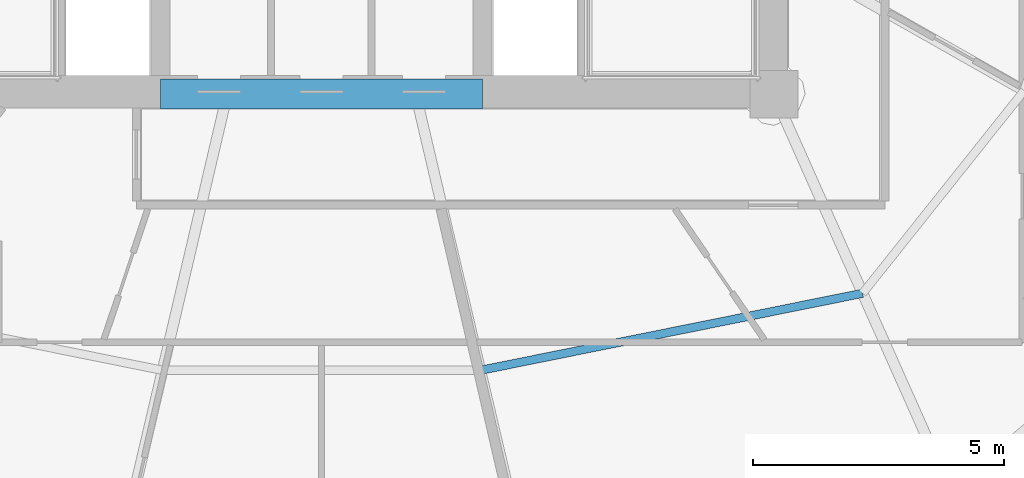
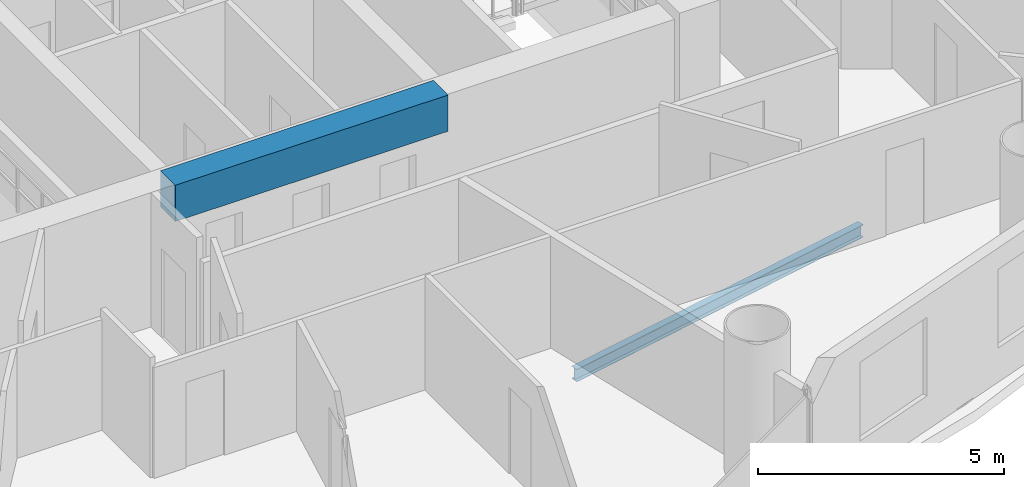
# One storey, part 6 of 26: 2 beams.
"""IFC4 building model written with IfcOpenShell, lengths in metres."""

from ifc_helpers import new_model, si_unit, direction, frame, origin, origin_2d, place, context, subcontext, project, spatial, rectangle, i_section, extrude, material, material_profile, profile_set, type_object, element, save


model = new_model("IFC4")

# Units and contexts
model_context = context("Model", 3, precision=1e-05, world=origin(), true_north=direction((-0.2419218956, 0.970295726276)))
body_context = subcontext(model_context, "Body", "Model", "MODEL_VIEW")
ifc_project = project(units=[si_unit("LENGTHUNIT", "METRE"), si_unit("AREAUNIT", "SQUARE_METRE"), si_unit("VOLUMEUNIT", "CUBIC_METRE"), si_unit("PLANEANGLEUNIT", "RADIAN"), si_unit("MASSUNIT", "GRAM", prefix="KILO")], contexts=[model_context])

# Site, building, storey
site_placement = place(None, origin())
site = spatial("IfcSite", under=ifc_project, at=site_placement, CompositionType="ELEMENT")
building_placement = place(site_placement, origin())
building = spatial("IfcBuilding", under=site, at=building_placement, Name="Cobrevalo Terracotta Tower", CompositionType="ELEMENT")
storey_placement = place(building_placement, frame((0.0, 0.0, 142.60009765625)))
storey = spatial("IfcBuildingStorey", under=building, at=storey_placement, Name="L37", CompositionType="ELEMENT", Elevation=142.60009765625)

# Beams
ifc_material_1 = material(Name="Concrete C60", Category="concrete")
ifc_material_profile_1 = material_profile(ifc_material_1, rectangle(XDim=0.60009765625, YDim=0.89990234375, at=origin_2d()), Name="RC CB 600x900")
ifc_profile_set_1 = profile_set([ifc_material_profile_1], Name="Concrete C60")
beam_type_1 = type_object("IfcBeamType", Name="Structural Beam RC CB 600x900 (Concrete C60)", PredefinedType="BEAM", material=ifc_profile_set_1)
beam_1_placement = place(storey_placement, frame((34.800048828125, 18.800048828125, 2.8798828125), z_axis=(1.0, 0.0, 0.0), x_axis=(0.0, 1.0, 0.0)))
element("IfcBeam", 1, at=beam_1_placement, inside=storey, type_object=beam_type_1, Name="L37 core coupling beam 1", PredefinedType="BEAM", context=body_context, shape_type="SweptSolid", body=[
    extrude(rectangle(XDim=0.60009765625, YDim=0.89990234375, at=origin_2d()), origin(), (0.0, 0.0, 1.0), 6.39990234375),
])
ifc_material_2 = material(Name="Steel S355", Category="steel")
ifc_material_profile_2 = material_profile(ifc_material_2, i_section(OverallWidth=0.1650390625, OverallDepth=0.31005859375, WebThickness=0.005859375, FlangeThickness=0.009765625, at=origin_2d()), Name="W 310x38.7")
ifc_profile_set_2 = profile_set([ifc_material_profile_2], Name="Steel S355")
beam_type_2 = type_object("IfcBeamType", Name="Structural Joist W 310x38.7 (Steel S355)", PredefinedType="JOIST", material=ifc_profile_set_2)
beam_2_placement = place(storey_placement, frame((41.16064453125, 13.306396484375, -0.425048828125), z_axis=(0.980293928329, 0.197544461026, 0.0), x_axis=(-0.197544461026, 0.980293928329, 0.0)))
element("IfcBeam", 2, at=beam_2_placement, inside=storey, type_object=beam_type_2, Name="L37 circumferential secondary floor joist 13", PredefinedType="JOIST", context=body_context, shape_type="SweptSolid", body=[
    extrude(i_section(OverallWidth=0.1650390625, OverallDepth=0.31005859375, WebThickness=0.005859375, FlangeThickness=0.009765625, at=origin_2d()), origin(), (0.0, 0.0, 1.0), 7.75634765625),
])

save(model, "model.ifc")
